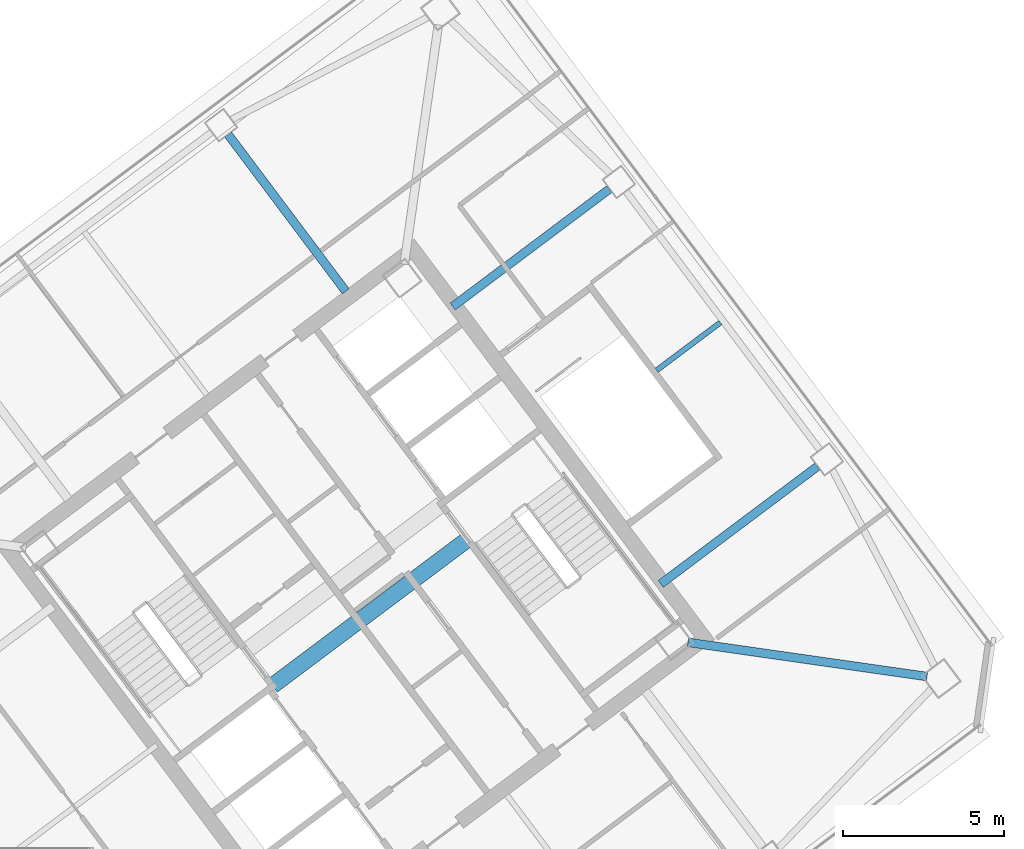
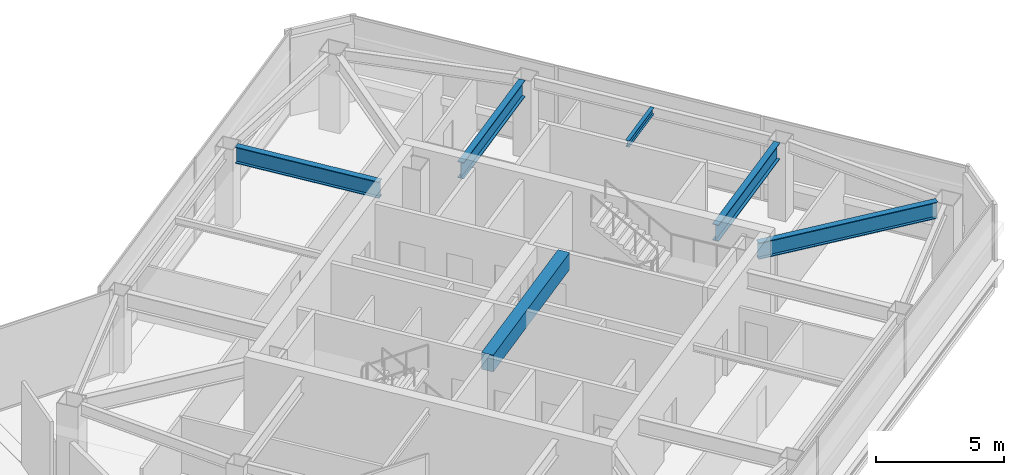
# One storey, part 34 of 51: 6 beams.
"""IFC4 building model written with IfcOpenShell, lengths in metres."""

from ifc_helpers import new_model, si_unit, direction, frame, origin, origin_2d, place, context, subcontext, project, spatial, rectangle, i_section, extrude, material, material_profile, profile_set, type_object, element, save


model = new_model("IFC4")

# Units and contexts
model_context = context("Model", 3, precision=1e-05, world=origin(), true_north=direction((0.0, 1.0)))
body_context = subcontext(model_context, "Body", "Model", "MODEL_VIEW")
ifc_project = project(units=[si_unit("LENGTHUNIT", "METRE"), si_unit("AREAUNIT", "SQUARE_METRE"), si_unit("VOLUMEUNIT", "CUBIC_METRE"), si_unit("PLANEANGLEUNIT", "RADIAN"), si_unit("MASSUNIT", "GRAM", prefix="KILO")], contexts=[model_context])

# Site, building, storey
site_placement = place(None, origin())
site = spatial("IfcSite", under=ifc_project, at=site_placement, CompositionType="ELEMENT")
building_placement = place(site_placement, origin())
building = spatial("IfcBuilding", under=site, at=building_placement, Name="Tashvorn Skyway Center", CompositionType="ELEMENT")
storey_placement = place(building_placement, frame((0.0, 0.0, 259.39990234375)))
storey = spatial("IfcBuildingStorey", under=building, at=storey_placement, Name="L70", CompositionType="ELEMENT", Elevation=259.39990234375)

# Beams
ifc_material_1 = material(Name="Steel ASTM A992 Grade 50", Category="steel")
ifc_material_profile_1 = material_profile(ifc_material_1, i_section(OverallWidth=0.26708984375, OverallDepth=0.779052734375, WebThickness=0.0166015625, FlangeThickness=0.030029296875, at=origin_2d()), Name="W30X148")
ifc_profile_set_1 = profile_set([ifc_material_profile_1], Name="Steel ASTM A992 Grade 50")
beam_type_1 = type_object("IfcBeamType", Name="BM-BEAM-W30X148", PredefinedType="BEAM", material=ifc_profile_set_1)
beam_1_placement = place(storey_placement, frame((131.759521484375, 29.462890625, 3.310546875), z_axis=(-0.989948195795, 0.141430441004, 0.0), x_axis=(-0.141430441004, -0.989948195795, 0.0)))
element("IfcBeam", 1, at=beam_1_placement, inside=storey, type_object=beam_type_1, Name="Tower 2 L70 Primary Floor Girder MC-SE", PredefinedType="BEAM", context=body_context, shape_type="SweptSolid", body=[
    extrude(i_section(OverallWidth=0.26708984375, OverallDepth=0.779052734375, WebThickness=0.0166015625, FlangeThickness=0.030029296875, at=origin_2d()), origin(), (0.0, 0.0, 1.0), 7.524658203125),
])
for number, where, z_axis, x_axis, name in (
    (2, (128.343994140625, 36.008056640625, 3.310546875), (-0.799980788524, -0.600025614447, 0.0), (0.600025614447, -0.799980788524, 0.0), "Tower 2 L70 Primary Floor Girder FC-E1"),
    (3, (121.864013671875, 44.64794921875, 3.310546875), (-0.800014407953, -0.599980788915, 0.0), (0.599980788915, -0.800014407953, 0.0), "Tower 2 L70 Primary Floor Girder FC-E2"),
    (4, (109.991943359375, 46.343994140625, 3.310546875), (0.600025614447, -0.799980788524, 0.0), (0.799980788524, 0.600025614447, 0.0), "Tower 2 L70 Primary Floor Girder FC-N1"),
):
    element("IfcBeam", number, at=place(storey_placement, frame(where, z_axis=z_axis, x_axis=x_axis)), inside=storey, type_object=beam_type_1, Name=name, PredefinedType="BEAM", context=body_context, shape_type="SweptSolid", body=[
        extrude(i_section(OverallWidth=0.26708984375, OverallDepth=0.779052734375, WebThickness=0.0166015625, FlangeThickness=0.030029296875, at=origin_2d()), origin(), (0.0, 0.0, 1.0), 6.10009765625),
    ])
ifc_material_profile_2 = material_profile(ifc_material_1, i_section(OverallWidth=0.1650390625, OverallDepth=0.31005859375, WebThickness=0.005859375, FlangeThickness=0.009765625, at=origin_2d()), Name="W12X26")
ifc_profile_set_2 = profile_set([ifc_material_profile_2], Name="Steel ASTM A992 Grade 50")
beam_type_2 = type_object("IfcBeamType", Name="BM-JOIST-W12X26", PredefinedType="JOIST", material=ifc_profile_set_2)
beam_2_placement = place(storey_placement, frame((123.3359375, 39.001953125, 3.545166015625), z_axis=(0.80001180088, 0.599984265171, 0.0), x_axis=(-0.599984265171, 0.80001180088, 0.0)))
element("IfcBeam", 5, at=beam_2_placement, inside=storey, type_object=beam_type_2, Name="Tower 2 L70 Secondary Composite Joist JE", PredefinedType="JOIST", context=body_context, shape_type="SweptSolid", body=[
    extrude(i_section(OverallWidth=0.1650390625, OverallDepth=0.31005859375, WebThickness=0.005859375, FlangeThickness=0.009765625, at=origin_2d()), origin(), (0.0, 0.0, 1.0), 2.482666015625),
])
ifc_material_2 = material(Name="Concrete C50/60", Category="concrete")
ifc_material_profile_3 = material_profile(ifc_material_2, rectangle(XDim=0.5, YDim=0.800048828125, at=origin_2d()), Name="RCB500x800")
ifc_profile_set_3 = profile_set([ifc_material_profile_3], Name="Concrete C50/60")
beam_type_3 = type_object("IfcBeamType", Name="BM-LINTEL-RCB500x800", PredefinedType="LINTEL", material=ifc_profile_set_3)
beam_3_placement = place(storey_placement, frame((111.367919921875, 29.176025390625, 3.300048828125), z_axis=(0.8, 0.6, 0.0), x_axis=(-0.6, 0.8, 0.0)))
element("IfcBeam", 6, at=beam_3_placement, inside=storey, type_object=beam_type_3, Name="Tower 2 L70 Core Coupling Beam CS", PredefinedType="LINTEL", context=body_context, shape_type="SweptSolid", body=[
    extrude(rectangle(XDim=0.5, YDim=0.800048828125, at=origin_2d()), origin(), (0.0, 0.0, 1.0), 7.60009765625),
])

save(model, "model.ifc")
